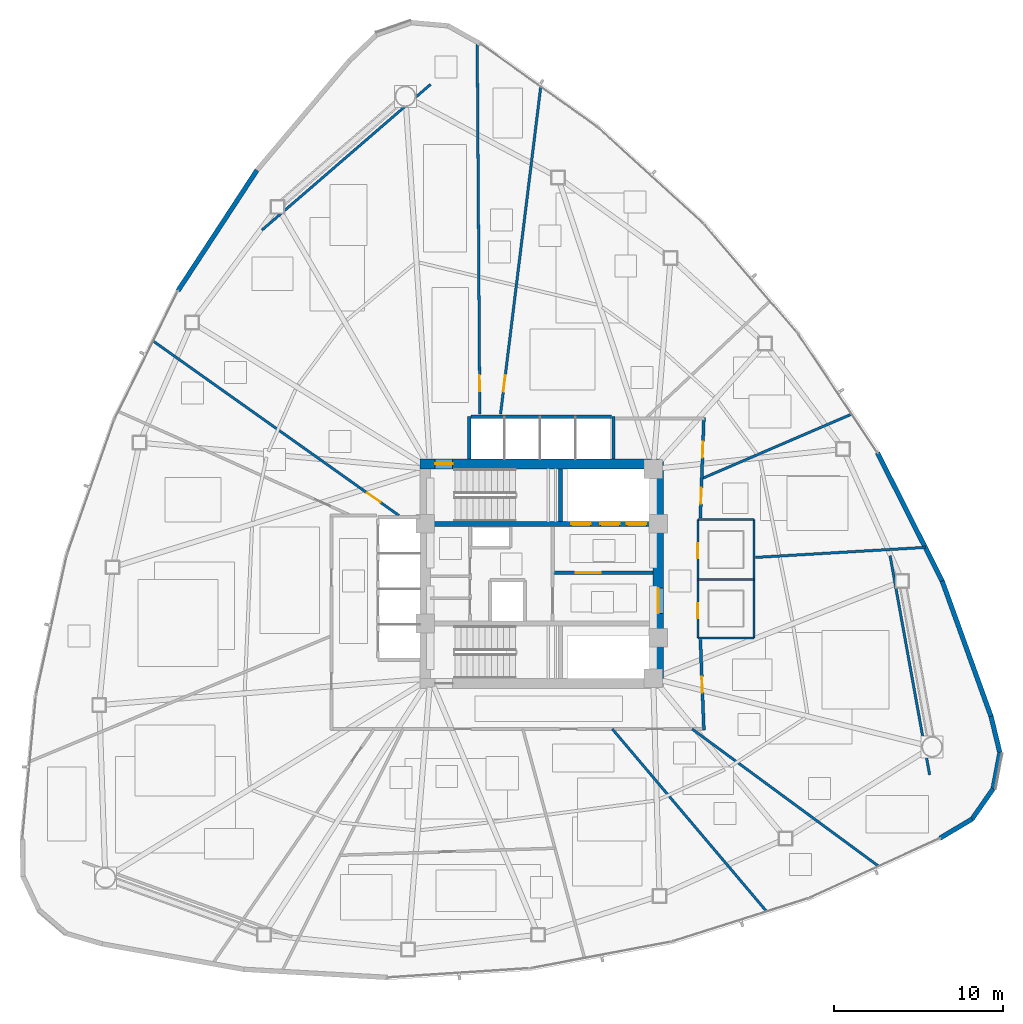
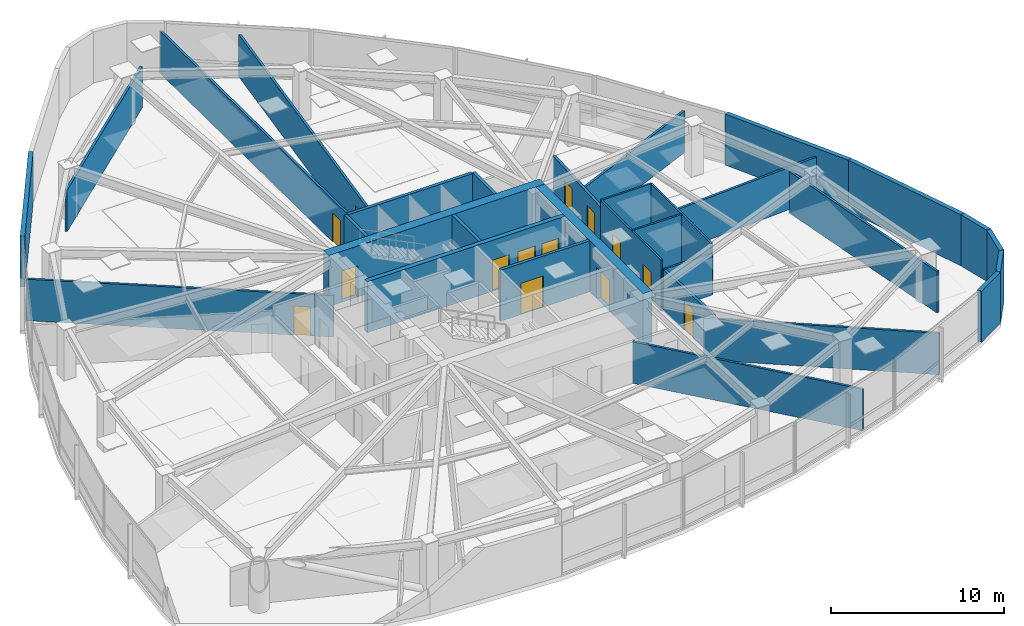
# One storey, part 13 of 18: 31 walls, 14 doors, 14 openings.
"""IFC4 building model written with IfcOpenShell, lengths in metres."""

from ifc_helpers import new_model, si_unit, direction, frame, frame_2d, origin, place, context, subcontext, project, spatial, rectangle, extrude, material, layer, layer_set, type_object, element, fill, save


model = new_model("IFC4")

# Units and contexts
model_context = context("Model", 3, precision=1e-05, world=origin(), true_north=direction((0.0, 1.0)))
body_context = subcontext(model_context, "Body", "Model", "MODEL_VIEW")
ifc_project = project(units=[si_unit("LENGTHUNIT", "METRE"), si_unit("AREAUNIT", "SQUARE_METRE"), si_unit("VOLUMEUNIT", "CUBIC_METRE"), si_unit("PLANEANGLEUNIT", "RADIAN"), si_unit("MASSUNIT", "GRAM", prefix="KILO")], contexts=[model_context])

# Site, building, storey
site_placement = place(None, origin())
site = spatial("IfcSite", under=ifc_project, at=site_placement, CompositionType="ELEMENT")
building_placement = place(site_placement, origin())
building = spatial("IfcBuilding", under=site, at=building_placement, Name="Tavelor Broadcast Tower", CompositionType="ELEMENT")
storey_placement = place(building_placement, frame((0.0, 0.0, 54.89990234375)))
storey = spatial("IfcBuildingStorey", under=building, at=storey_placement, Name="L12", CompositionType="ELEMENT", Elevation=54.89990234375)

# Wall, opening, door
ifc_material_1 = material(Name="Concrete C60/75", Category="concrete")
ifc_layer_1 = layer(ifc_material_1, 0.60009765625)
ifc_layer_set_1 = layer_set([ifc_layer_1], Name="Concrete C60/75")
wall_type_1 = type_object("IfcWallType", Name="Core Shear Wall 600 mm", PredefinedType="SHEAR", material=ifc_layer_set_1)
wall_1_placement = place(storey_placement, frame((42.800048828125, 51.5, 0.0), z_axis=(0.0, 0.0, 1.0), x_axis=(1.0, 0.0, 0.0)))
wall_1 = element("IfcWall", 1, at=wall_1_placement, inside=storey, type_object=wall_type_1, Name="L12 Central Core Shear Wall N", PredefinedType="SHEAR", context=body_context, shape_type="SweptSolid", body=[
    extrude(rectangle(XDim=14.39990234375, YDim=0.60009765625, at=frame_2d((7.199951171875, 0.0))), origin(), (0.0, 0.0, 1.0), 3.60009765625),
])
opening_1_placement = place(wall_1_placement, frame((0.8798828125, 0.0, 0.0)))
opening_1 = element("IfcOpeningElement", 2, at=opening_1_placement, cuts=wall_1, Name="Opening DR11", PredefinedType="OPENING", context=body_context, shape_type="SweptSolid", body=[
    extrude(rectangle(XDim=1.050048828125, YDim=2.199951171875, at=frame_2d((0.52490234375, 1.10009765625))), frame((0.0, 0.31005859375, 0.0), z_axis=(0.0, -1.0, 0.0), x_axis=(1.0, 0.0, 0.0)), (0.0, 0.0, 1.0), 0.6201171875),
])
ifc_material_2 = material(Name="Steel S355", Category="steel")
door_type_1 = type_object("IfcDoorType", Name="Stair Core Fire Escape Door 1050x2200", OperationType="NOTDEFINED", PredefinedType="DOOR", material=ifc_material_2)
door_1_placement = place(opening_1_placement, origin())
door_1 = element("IfcDoor", 3, at=door_1_placement, inside=storey, type_object=door_type_1, Name="L12 Stair ST1 Protected Exit Door", OperationType="SINGLE_SWING_LEFT", OverallHeight=2.199951171875, OverallWidth=1.050048828125, PredefinedType="DOOR", context=body_context, shape_type="SweptSolid", body=[
    extrude(rectangle(XDim=1.050048828125, YDim=2.199951171875, at=frame_2d((0.52490234375, 1.10009765625))), frame((0.0, 0.02490234375, 0.0), z_axis=(0.0, -1.0, 0.0), x_axis=(1.0, 0.0, 0.0)), (0.0, 0.0, 1.0), 0.050048828125),
])
fill(opening_1, door_1)

wall_2_placement = place(storey_placement, frame((56.89990234375, 38.800048828125, 0.0), z_axis=(0.0, 0.0, 1.0), x_axis=(0.0, 1.0, 0.0)))
wall_2 = element("IfcWall", 4, at=wall_2_placement, inside=storey, type_object=wall_type_1, Name="L12 Central Core Shear Wall E", PredefinedType="SHEAR", context=body_context, shape_type="SweptSolid", body=[
    extrude(rectangle(XDim=12.39990234375, YDim=0.60009765625, at=frame_2d((6.199951171875, 0.0))), origin(), (0.0, 0.0, 1.0), 3.60009765625),
])
opening_2_placement = place(wall_2_placement, frame((3.85009765625, 0.0, 0.0)))
opening_2 = element("IfcOpeningElement", 5, at=opening_2_placement, cuts=wall_2, Name="Opening DR14", PredefinedType="OPENING", context=body_context, shape_type="SweptSolid", body=[
    extrude(rectangle(XDim=1.5, YDim=2.199951171875, at=frame_2d((0.75, 1.10009765625))), frame((0.0, 0.31005859375, 0.0), z_axis=(0.0, -1.0, 0.0), x_axis=(1.0, 0.0, 0.0)), (0.0, 0.0, 1.0), 0.6201171875),
])
door_type_2 = type_object("IfcDoorType", Name="Firefighting Lobby Double Fire Door 1500x2200", OperationType="NOTDEFINED", PredefinedType="DOOR", material=ifc_material_2)
door_2_placement = place(opening_2_placement, origin())
door_2 = element("IfcDoor", 6, at=door_2_placement, inside=storey, type_object=door_type_2, Name="L12 Central Core Lobby Fire Door", OperationType="SINGLE_SWING_RIGHT", OverallHeight=2.199951171875, OverallWidth=1.5, PredefinedType="DOOR", context=body_context, shape_type="SweptSolid", body=[
    extrude(rectangle(XDim=1.5, YDim=2.199951171875, at=frame_2d((0.75, 1.10009765625))), frame((0.0, 0.02490234375, 0.0), z_axis=(0.0, -1.0, 0.0), x_axis=(1.0, 0.0, 0.0)), (0.0, 0.0, 1.0), 0.050048828125),
])
fill(opening_2, door_2)

# Wall, openings, doors
ifc_layer_2 = layer(ifc_material_1, 0.300048828125)
ifc_layer_set_2 = layer_set([ifc_layer_2], Name="Concrete C60/75")
wall_type_2 = type_object("IfcWallType", Name="Core Spine Shear Wall 300 mm C60", PredefinedType="SHEAR", material=ifc_layer_set_2)
wall_3_placement = place(storey_placement, frame((43.39990234375, 47.949951171875, 0.0), z_axis=(0.0, 0.0, 1.0), x_axis=(1.0, 0.0, 0.0)))
wall_3 = element("IfcWall", 7, at=wall_3_placement, inside=storey, type_object=wall_type_2, Name="L12 Central Core Shear Wall SP1", PredefinedType="SHEAR", context=body_context, shape_type="SweptSolid", body=[
    extrude(rectangle(XDim=13.2001953125, YDim=0.300048828125, at=frame_2d((6.60009765625, 0.0))), origin(), (0.0, 0.0, 1.0), 3.60009765625),
])
opening_3_placement = place(wall_3_placement, frame((8.344970703125, 0.0, 0.0)))
opening_3 = element("IfcOpeningElement", 8, at=opening_3_placement, cuts=wall_3, Name="Opening LD02", PredefinedType="OPENING", context=body_context, shape_type="SweptSolid", body=[
    extrude(rectangle(XDim=1.14990234375, YDim=2.199951171875, at=frame_2d((0.574951171875, 1.10009765625))), frame((0.0, 0.16015625, 0.0), z_axis=(0.0, -1.0, 0.0), x_axis=(1.0, 0.0, 0.0)), (0.0, 0.0, 1.0), 0.320068359375),
])
opening_4_placement = place(wall_3_placement, frame((10.06494140625, 0.0, 0.0)))
opening_4 = element("IfcOpeningElement", 9, at=opening_4_placement, cuts=wall_3, Name="Opening LD02", PredefinedType="OPENING", context=body_context, shape_type="SweptSolid", body=[
    extrude(rectangle(XDim=1.14990234375, YDim=2.199951171875, at=frame_2d((0.574951171875, 1.10009765625))), frame((0.0, 0.16015625, 0.0), z_axis=(0.0, -1.0, 0.0), x_axis=(1.0, 0.0, 0.0)), (0.0, 0.0, 1.0), 0.320068359375),
])
opening_5_placement = place(wall_3_placement, frame((11.64501953125, 0.0, 0.0)))
opening_5 = element("IfcOpeningElement", 10, at=opening_5_placement, cuts=wall_3, Name="Opening LD03", PredefinedType="OPENING", context=body_context, shape_type="SweptSolid", body=[
    extrude(rectangle(XDim=1.14990234375, YDim=2.199951171875, at=frame_2d((0.574951171875, 1.10009765625))), frame((0.0, 0.16015625, 0.0), z_axis=(0.0, -1.0, 0.0), x_axis=(1.0, 0.0, 0.0)), (0.0, 0.0, 1.0), 0.320068359375),
])
ifc_material_3 = material(Name="Reinforced Brushed Stainless Steel", Category="concrete")
door_type_3 = type_object("IfcDoorType", Name="Broadcast Goods Lift Sliding Landing Door 1250x2200", OperationType="NOTDEFINED", PredefinedType="DOOR", material=ifc_material_3)
door_3_placement = place(opening_5_placement, origin())
door_3 = element("IfcDoor", 11, at=door_3_placement, inside=storey, type_object=door_type_3, Name="L12 Lift SVL1 Sliding Landing Door", OperationType="SLIDING_TO_LEFT", OverallHeight=2.199951171875, OverallWidth=1.14990234375, PredefinedType="DOOR", context=body_context, shape_type="SweptSolid", body=[
    extrude(rectangle(XDim=1.14990234375, YDim=2.199951171875, at=frame_2d((0.574951171875, 1.10009765625))), frame((0.0, 0.02490234375, 0.0), z_axis=(0.0, -1.0, 0.0), x_axis=(1.0, 0.0, 0.0)), (0.0, 0.0, 1.0), 0.050048828125),
])
fill(opening_5, door_3)
ifc_material_4 = material(Name="Fire-Rated Stainless Steel", Category="steel")
door_type_4 = type_object("IfcDoorType", Name="Firefighting Lift Sliding Landing Door 1200x2200", OperationType="NOTDEFINED", PredefinedType="DOOR", material=ifc_material_4)
door_4_placement = place(opening_3_placement, origin())
door_4 = element("IfcDoor", 12, at=door_4_placement, inside=storey, type_object=door_type_4, Name="L12 Lift FFL1 Sliding Landing Door", OperationType="SLIDING_TO_LEFT", OverallHeight=2.199951171875, OverallWidth=1.14990234375, PredefinedType="DOOR", context=body_context, shape_type="SweptSolid", body=[
    extrude(rectangle(XDim=1.14990234375, YDim=2.199951171875, at=frame_2d((0.574951171875, 1.10009765625))), frame((0.0, 0.02490234375, 0.0), z_axis=(0.0, -1.0, 0.0), x_axis=(1.0, 0.0, 0.0)), (0.0, 0.0, 1.0), 0.050048828125),
])
fill(opening_3, door_4)
door_5_placement = place(opening_4_placement, origin())
door_5 = element("IfcDoor", 13, at=door_5_placement, inside=storey, type_object=door_type_4, Name="L12 Lift FFL2 Sliding Landing Door", OperationType="SLIDING_TO_LEFT", OverallHeight=2.199951171875, OverallWidth=1.14990234375, PredefinedType="DOOR", context=body_context, shape_type="SweptSolid", body=[
    extrude(rectangle(XDim=1.14990234375, YDim=2.199951171875, at=frame_2d((0.574951171875, 1.10009765625))), frame((0.0, 0.02490234375, 0.0), z_axis=(0.0, -1.0, 0.0), x_axis=(1.0, 0.0, 0.0)), (0.0, 0.0, 1.0), 0.050048828125),
])
fill(opening_4, door_5)

ifc_material_5 = material(Name="Calcium Silicate Fire Board 180 mm", Category="gypsum")
ifc_layer_3 = layer(ifc_material_5, 0.179931640625)
ifc_layer_set_3 = layer_set([ifc_layer_3], Name="Calcium Silicate Fire Board 180 mm")
wall_type_3 = type_object("IfcWallType", Name="Fire-Rated Corridor Partition Wall 180 mm", PredefinedType="PARTITIONING", material=ifc_layer_set_3)
wall_4_placement = place(storey_placement, frame((59.601806640625, 54.25, 0.0), z_axis=(0.0, 0.0, 1.0), x_axis=(-0.035265891834, -0.999377964973, 0.0)))
wall_4 = element("IfcWall", 14, at=wall_4_placement, inside=storey, type_object=wall_type_3, Name="L12 Corridor Compartment Wall 02", PredefinedType="PARTITIONING", context=body_context, shape_type="SweptSolid", body=[
    extrude(rectangle(XDim=5.95361328125, YDim=0.179931640625, at=frame_2d((2.976806640625, 0.0))), origin(), (0.0, 0.0, 1.0), 2.925048828125),
])
opening_6_placement = place(wall_4_placement, frame((1.42578125, 0.0, 0.0)))
opening_6 = element("IfcOpeningElement", 15, at=opening_6_placement, cuts=wall_4, Name="Opening DR18", PredefinedType="OPENING", context=body_context, shape_type="SweptSolid", body=[
    extrude(rectangle(XDim=0.949951171875, YDim=2.050048828125, at=frame_2d((0.47509765625, 1.02490234375))), frame((0.0, 0.10009765625, 0.0), z_axis=(0.0, -1.0, 0.0), x_axis=(1.0, 0.0, 0.0)), (0.0, 0.0, 1.0), 0.199951171875),
])
opening_7_placement = place(wall_4_placement, frame((4.176025390625, 0.0, 0.0)))
opening_7 = element("IfcOpeningElement", 16, at=opening_7_placement, cuts=wall_4, Name="Opening DR18", PredefinedType="OPENING", context=body_context, shape_type="SweptSolid", body=[
    extrude(rectangle(XDim=0.949951171875, YDim=2.050048828125, at=frame_2d((0.47509765625, 1.02490234375))), frame((0.0, 0.10009765625, 0.0), z_axis=(0.0, -1.0, 0.0), x_axis=(1.0, 0.0, 0.0)), (0.0, 0.0, 1.0), 0.199951171875),
])
ifc_material_6 = material(Name="Timber Solid Core Hardwood", Category="wood")
door_type_5 = type_object("IfcDoorType", Name="Corridor Rated Compartment Door 950x2050", OperationType="NOTDEFINED", PredefinedType="DOOR", material=ifc_material_6)
door_6_placement = place(opening_6_placement, origin())
door_6 = element("IfcDoor", 17, at=door_6_placement, inside=storey, type_object=door_type_5, Name="L12 Talent Concierge Desk Door R8", OperationType="SINGLE_SWING_RIGHT", OverallHeight=2.050048828125, OverallWidth=0.949951171875, PredefinedType="DOOR", context=body_context, shape_type="SweptSolid", body=[
    extrude(rectangle(XDim=0.949951171875, YDim=2.050048828125, at=frame_2d((0.47509765625, 1.02490234375))), frame((0.0, 0.02490234375, 0.0), z_axis=(0.0, -1.0, 0.0), x_axis=(1.0, 0.0, 0.0)), (0.0, 0.0, 1.0), 0.050048828125),
])
fill(opening_6, door_6)
door_7_placement = place(opening_7_placement, origin())
door_7 = element("IfcDoor", 18, at=door_7_placement, inside=storey, type_object=door_type_5, Name="L12 Master Control Room Door R9", OperationType="SINGLE_SWING_LEFT", OverallHeight=2.050048828125, OverallWidth=0.949951171875, PredefinedType="DOOR", context=body_context, shape_type="SweptSolid", body=[
    extrude(rectangle(XDim=0.949951171875, YDim=2.050048828125, at=frame_2d((0.47509765625, 1.02490234375))), frame((0.0, 0.02490234375, 0.0), z_axis=(0.0, -1.0, 0.0), x_axis=(1.0, 0.0, 0.0)), (0.0, 0.0, 1.0), 0.050048828125),
])
fill(opening_7, door_7)

# Wall, opening, door
wall_5_placement = place(storey_placement, frame((59.39208984375, 41.10009765625, 0.0), z_axis=(0.0, 0.0, 1.0), x_axis=(0.03921413315, -0.999230830069, 0.0)))
wall_5 = element("IfcWall", 19, at=wall_5_placement, inside=storey, type_object=wall_type_3, Name="L12 Corridor Compartment Wall 03", PredefinedType="PARTITIONING", context=body_context, shape_type="SweptSolid", body=[
    extrude(rectangle(XDim=5.354248046875, YDim=0.179931640625, at=frame_2d((2.67724609375, 0.0))), origin(), (0.0, 0.0, 1.0), 2.925048828125),
])
opening_8_placement = place(wall_5_placement, frame((2.201904296875, 0.0, 0.0)))
opening_8 = element("IfcOpeningElement", 20, at=opening_8_placement, cuts=wall_5, Name="Opening DR18", PredefinedType="OPENING", context=body_context, shape_type="SweptSolid", body=[
    extrude(rectangle(XDim=0.949951171875, YDim=2.050048828125, at=frame_2d((0.47509765625, 1.02490234375))), frame((0.0, 0.10009765625, 0.0), z_axis=(0.0, -1.0, 0.0), x_axis=(1.0, 0.0, 0.0)), (0.0, 0.0, 1.0), 0.199951171875),
])
door_8_placement = place(opening_8_placement, origin())
door_8 = element("IfcDoor", 21, at=door_8_placement, inside=storey, type_object=door_type_5, Name="L12 Investigative News Desk Door R10", OperationType="SINGLE_SWING_RIGHT", OverallHeight=2.050048828125, OverallWidth=0.949951171875, PredefinedType="DOOR", context=body_context, shape_type="SweptSolid", body=[
    extrude(rectangle(XDim=0.949951171875, YDim=2.050048828125, at=frame_2d((0.47509765625, 1.02490234375))), frame((0.0, 0.02490234375, 0.0), z_axis=(0.0, -1.0, 0.0), x_axis=(1.0, 0.0, 0.0)), (0.0, 0.0, 1.0), 0.050048828125),
])
fill(opening_8, door_8)

# Walls
ifc_material_7 = material(Name="Precast Concrete C40/50", Category="concrete")
ifc_layer_4 = layer(ifc_material_7, 0.280029296875)
ifc_layer_set_4 = layer_set([ifc_layer_4], Name="Precast Concrete C40/50")
wall_type_4 = type_object("IfcWallType", Name="Insulated Precast Terracotta Facade Wall 280 mm", PredefinedType="STANDARD", material=ifc_layer_set_4)
wall_6_placement = place(storey_placement, frame((33.13671875, 68.898193359375, 0.0), z_axis=(0.0, 0.0, 1.0), x_axis=(-0.54793584968, -0.836520355183, 0.0)))
element("IfcWall", 22, at=wall_6_placement, inside=storey, type_object=wall_type_4, Name="L12 Rounded Corner Structural Cladding Pier 06", PredefinedType="STANDARD", context=body_context, shape_type="SweptSolid", body=[
    extrude(rectangle(XDim=8.53515625, YDim=0.280029296875, at=frame_2d((4.267578125, 0.0))), origin(), (0.0, 0.0, 1.0), 3.60009765625),
])
wall_7_placement = place(storey_placement, frame((73.579345703125, 29.33447265625, 0.0), z_axis=(0.0, 0.0, 1.0), x_axis=(0.859405481685, 0.511294648955, 0.0)))
element("IfcWall", 23, at=wall_7_placement, inside=storey, type_object=wall_type_4, Name="L12 Rounded Corner Structural Cladding Pier 21", PredefinedType="STANDARD", context=body_context, shape_type="SweptSolid", body=[
    extrude(rectangle(XDim=2.22314453125, YDim=0.280029296875, at=frame_2d((1.111572265625, 0.0))), origin(), (0.0, 0.0, 1.0), 3.60009765625),
])
wall_8_placement = place(storey_placement, frame((75.468505859375, 30.451171875, 0.0), z_axis=(0.0, 0.0, 1.0), x_axis=(0.572854744828, 0.819656904642, 0.0)))
element("IfcWall", 24, at=wall_8_placement, inside=storey, type_object=wall_type_4, Name="L12 Rounded Corner Structural Cladding Pier 22", PredefinedType="STANDARD", context=body_context, shape_type="SweptSolid", body=[
    extrude(rectangle(XDim=2.2119140625, YDim=0.280029296875, at=frame_2d((1.10595703125, 0.0))), origin(), (0.0, 0.0, 1.0), 3.60009765625),
])
wall_9_placement = place(storey_placement, frame((76.72412109375, 32.237060546875, 0.0), z_axis=(0.0, 0.0, 1.0), x_axis=(0.184788378339, 0.982778334738, 0.0)))
element("IfcWall", 25, at=wall_9_placement, inside=storey, type_object=wall_type_4, Name="L12 Rounded Corner Structural Cladding Pier 23", PredefinedType="STANDARD", context=body_context, shape_type="SweptSolid", body=[
    extrude(rectangle(XDim=2.211669921875, YDim=0.280029296875, at=frame_2d((1.10595703125, 0.0))), origin(), (0.0, 0.0, 1.0), 3.60009765625),
])
wall_10_placement = place(storey_placement, frame((77.133544921875, 34.38134765625, 0.0), z_axis=(0.0, 0.0, 1.0), x_axis=(-0.23592214769, 0.971771958964, 0.0)))
element("IfcWall", 26, at=wall_10_placement, inside=storey, type_object=wall_type_4, Name="L12 Rounded Corner Structural Cladding Pier 24", PredefinedType="STANDARD", context=body_context, shape_type="SweptSolid", body=[
    extrude(rectangle(XDim=2.234130859375, YDim=0.280029296875, at=frame_2d((1.1171875, 0.0))), origin(), (0.0, 0.0, 1.0), 3.60009765625),
])
wall_11_placement = place(storey_placement, frame((76.614990234375, 36.523681640625, 0.0), z_axis=(0.0, 0.0, 1.0), x_axis=(-0.339134131708, 0.940738029799, 0.0)))
element("IfcWall", 27, at=wall_11_placement, inside=storey, type_object=wall_type_4, Name="L12 Rounded Corner Structural Cladding Pier 25", PredefinedType="STANDARD", context=body_context, shape_type="SweptSolid", body=[
    extrude(rectangle(XDim=8.54736328125, YDim=0.280029296875, at=frame_2d((4.273681640625, 0.0))), origin(), (0.0, 0.0, 1.0), 3.60009765625),
])
wall_12_placement = place(storey_placement, frame((73.728271484375, 44.537109375, 0.0), z_axis=(0.0, 0.0, 1.0), x_axis=(-0.450471385419, 0.892790866283, 0.0)))
element("IfcWall", 28, at=wall_12_placement, inside=storey, type_object=wall_type_4, Name="L12 Rounded Corner Structural Cladding Pier 26", PredefinedType="STANDARD", context=body_context, shape_type="SweptSolid", body=[
    extrude(rectangle(XDim=8.535400390625, YDim=0.280029296875, at=frame_2d((4.267578125, 0.0))), origin(), (0.0, 0.0, 1.0), 3.60009765625),
])
ifc_material_8 = material(Name="Gypsum Acoustic Plasterboard 150 mm", Category="gypsum")
ifc_layer_5 = layer(ifc_material_8, 0.14990234375)
ifc_layer_set_5 = layer_set([ifc_layer_5], Name="Gypsum Acoustic Plasterboard 150 mm")
wall_type_5 = type_object("IfcWallType", Name="Interior Acoustic Partition Wall 150 mm", PredefinedType="PARTITIONING", material=ifc_layer_set_5)
wall_13_placement = place(storey_placement, frame((43.42138671875, 73.9794921875, 0.0), z_axis=(0.0, 0.0, 1.0), x_axis=(-0.756659135409, -0.653809569218, 0.0)))
element("IfcWall", 29, at=wall_13_placement, inside=storey, type_object=wall_type_5, Name="L12 Corner Tube Brace Furring Wall 1", PredefinedType="PARTITIONING", context=body_context, shape_type="SweptSolid", body=[
    extrude(rectangle(XDim=13.200439453125, YDim=0.14990234375, at=frame_2d((6.60009765625, 0.0))), origin(), (0.0, 0.0, 1.0), 2.925048828125),
])
wall_14_placement = place(storey_placement, frame((72.96923828125, 33.09130859375, 0.0), z_axis=(0.0, 0.0, 1.0), x_axis=(-0.177742578179, 0.984077017261, 0.0)))
element("IfcWall", 30, at=wall_14_placement, inside=storey, type_object=wall_type_5, Name="L12 Corner Tube Brace Furring Wall 3", PredefinedType="PARTITIONING", context=body_context, shape_type="SweptSolid", body=[
    extrude(rectangle(XDim=13.179443359375, YDim=0.14990234375, at=frame_2d((6.58984375, 0.0))), origin(), (0.0, 0.0, 1.0), 2.925048828125),
])

# Wall, opening, door
wall_15_placement = place(storey_placement, frame((47.560302734375, 54.449951171875, 0.0), z_axis=(0.0, 0.0, 1.0), x_axis=(0.121866471356, 0.99254650428, 0.0)))
wall_15 = element("IfcWall", 31, at=wall_15_placement, inside=storey, type_object=wall_type_5, Name="L12 Radial Compartment Wall 01", PredefinedType="PARTITIONING", context=body_context, shape_type="SweptSolid", body=[
    extrude(rectangle(XDim=19.542724609375, YDim=0.14990234375, at=frame_2d((9.771484375, 0.0))), origin(), (0.0, 0.0, 1.0), 2.97509765625),
])
opening_9_placement = place(wall_15_placement, frame((1.35009765625, 0.0, 0.0)))
opening_9 = element("IfcOpeningElement", 32, at=opening_9_placement, cuts=wall_15, Name="Opening DR18", PredefinedType="OPENING", context=body_context, shape_type="SweptSolid", body=[
    extrude(rectangle(XDim=0.949951171875, YDim=2.050048828125, at=frame_2d((0.47509765625, 1.02490234375))), frame((0.0, 0.0849609375, 0.0), z_axis=(0.0, -1.0, 0.0), x_axis=(1.0, 0.0, 0.0)), (0.0, 0.0, 1.0), 0.169921875),
])
door_9_placement = place(opening_9_placement, origin())
door_9 = element("IfcDoor", 33, at=door_9_placement, inside=storey, type_object=door_type_5, Name="L12 Suite Connecting Door 7", OperationType="SINGLE_SWING_RIGHT", OverallHeight=2.050048828125, OverallWidth=0.949951171875, PredefinedType="DOOR", context=body_context, shape_type="SweptSolid", body=[
    extrude(rectangle(XDim=0.949951171875, YDim=2.050048828125, at=frame_2d((0.47509765625, 1.02490234375))), frame((0.0, 0.02490234375, 0.0), z_axis=(0.0, -1.0, 0.0), x_axis=(1.0, 0.0, 0.0)), (0.0, 0.0, 1.0), 0.050048828125),
])
fill(opening_9, door_9)

wall_16_placement = place(storey_placement, frame((46.3330078125, 54.449951171875, 0.0), z_axis=(0.0, 0.0, 1.0), x_axis=(-0.007065709124, 0.999975037566, 0.0)))
wall_16 = element("IfcWall", 34, at=wall_16_placement, inside=storey, type_object=wall_type_5, Name="L12 Radial Compartment Wall 02", PredefinedType="PARTITIONING", context=body_context, shape_type="SweptSolid", body=[
    extrude(rectangle(XDim=22.044677734375, YDim=0.14990234375, at=frame_2d((11.0224609375, 0.0))), origin(), (0.0, 0.0, 1.0), 2.97509765625),
])
opening_10_placement = place(wall_16_placement, frame((1.35009765625, 0.0, 0.0)))
opening_10 = element("IfcOpeningElement", 35, at=opening_10_placement, cuts=wall_16, Name="Opening DR18", PredefinedType="OPENING", context=body_context, shape_type="SweptSolid", body=[
    extrude(rectangle(XDim=0.949951171875, YDim=2.050048828125, at=frame_2d((0.47509765625, 1.02490234375))), frame((0.0, 0.0849609375, 0.0), z_axis=(0.0, -1.0, 0.0), x_axis=(1.0, 0.0, 0.0)), (0.0, 0.0, 1.0), 0.169921875),
])
door_10_placement = place(opening_10_placement, origin())
door_10 = element("IfcDoor", 36, at=door_10_placement, inside=storey, type_object=door_type_5, Name="L12 Suite Connecting Door 6", OperationType="SINGLE_SWING_LEFT", OverallHeight=2.050048828125, OverallWidth=0.949951171875, PredefinedType="DOOR", context=body_context, shape_type="SweptSolid", body=[
    extrude(rectangle(XDim=0.949951171875, YDim=2.050048828125, at=frame_2d((0.47509765625, 1.02490234375))), frame((0.0, 0.02490234375, 0.0), z_axis=(0.0, -1.0, 0.0), x_axis=(1.0, 0.0, 0.0)), (0.0, 0.0, 1.0), 0.050048828125),
])
fill(opening_10, door_10)

wall_17_placement = place(storey_placement, frame((41.53857421875, 48.449951171875, 0.0), z_axis=(0.0, 0.0, 1.0), x_axis=(-0.815514848406, 0.578736150616, 0.0)))
wall_17 = element("IfcWall", 37, at=wall_17_placement, inside=storey, type_object=wall_type_5, Name="L12 Radial Compartment Wall 03", PredefinedType="PARTITIONING", context=body_context, shape_type="SweptSolid", body=[
    extrude(rectangle(XDim=17.852294921875, YDim=0.14990234375, at=frame_2d((8.92626953125, 0.0))), origin(), (0.0, 0.0, 1.0), 2.925048828125),
])
opening_11_placement = place(wall_17_placement, frame((1.35009765625, 0.0, 0.0)))
opening_11 = element("IfcOpeningElement", 38, at=opening_11_placement, cuts=wall_17, Name="Opening DR18", PredefinedType="OPENING", context=body_context, shape_type="SweptSolid", body=[
    extrude(rectangle(XDim=0.949951171875, YDim=2.050048828125, at=frame_2d((0.47509765625, 1.02490234375))), frame((0.0, 0.0849609375, 0.0), z_axis=(0.0, -1.0, 0.0), x_axis=(1.0, 0.0, 0.0)), (0.0, 0.0, 1.0), 0.169921875),
])
door_11_placement = place(opening_11_placement, origin())
door_11 = element("IfcDoor", 39, at=door_11_placement, inside=storey, type_object=door_type_5, Name="L12 Suite Connecting Door 5", OperationType="SINGLE_SWING_RIGHT", OverallHeight=2.050048828125, OverallWidth=0.949951171875, PredefinedType="DOOR", context=body_context, shape_type="SweptSolid", body=[
    extrude(rectangle(XDim=0.949951171875, YDim=2.050048828125, at=frame_2d((0.47509765625, 1.02490234375))), frame((0.0, 0.02490234375, 0.0), z_axis=(0.0, -1.0, 0.0), x_axis=(1.0, 0.0, 0.0)), (0.0, 0.0, 1.0), 0.050048828125),
])
fill(opening_11, door_11)

# Walls
wall_18_placement = place(storey_placement, frame((54.18017578125, 35.800048828125, 0.0), z_axis=(0.0, 0.0, 1.0), x_axis=(0.645718892339, -0.763575217039, 0.0)))
element("IfcWall", 40, at=wall_18_placement, inside=storey, type_object=wall_type_5, Name="L12 Radial Compartment Wall 09", PredefinedType="PARTITIONING", context=body_context, shape_type="SweptSolid", body=[
    extrude(rectangle(XDim=14.162841796875, YDim=0.14990234375, at=frame_2d((7.08154296875, 0.0))), origin(), (0.0, 0.0, 1.0), 2.925048828125),
])
wall_19_placement = place(storey_placement, frame((58.906005859375, 35.800048828125, 0.0), z_axis=(0.0, 0.0, 1.0), x_axis=(0.80551038612, -0.592581655008, 0.0)))
element("IfcWall", 41, at=wall_19_placement, inside=storey, type_object=wall_type_5, Name="L12 Radial Compartment Wall 10", PredefinedType="PARTITIONING", context=body_context, shape_type="SweptSolid", body=[
    extrude(rectangle(XDim=13.722412109375, YDim=0.14990234375, at=frame_2d((6.861328125, 0.0))), origin(), (0.0, 0.0, 1.0), 2.925048828125),
])
wall_20_placement = place(storey_placement, frame((62.64990234375, 45.9609375, 0.0), z_axis=(0.0, 0.0, 1.0), x_axis=(0.998256468531, 0.059025613391, 0.0)))
element("IfcWall", 42, at=wall_20_placement, inside=storey, type_object=wall_type_5, Name="L12 Radial Compartment Wall 11", PredefinedType="PARTITIONING", context=body_context, shape_type="SweptSolid", body=[
    extrude(rectangle(XDim=10.088134765625, YDim=0.14990234375, at=frame_2d((5.0439453125, 0.0))), origin(), (0.0, 0.0, 1.0), 2.97509765625),
])
wall_21_placement = place(storey_placement, frame((59.473876953125, 50.626953125, 0.0), z_axis=(0.0, 0.0, 1.0), x_axis=(0.918535829974, 0.395337740488, 0.0)))
element("IfcWall", 43, at=wall_21_placement, inside=storey, type_object=wall_type_5, Name="L12 Radial Compartment Wall 12", PredefinedType="PARTITIONING", context=body_context, shape_type="SweptSolid", body=[
    extrude(rectangle(XDim=9.677001953125, YDim=0.14990234375, at=frame_2d((4.83837890625, 0.0))), origin(), (0.0, 0.0, 1.0), 2.925048828125),
])
ifc_material_9 = material(Name="Concrete Blockwork 200 mm", Category="masonry")
ifc_layer_6 = layer(ifc_material_9, 0.199951171875)
ifc_layer_set_6 = layer_set([ifc_layer_6], Name="Concrete Blockwork 200 mm")
wall_type_6 = type_object("IfcWallType", Name="Lift Hoistway Rated Front Wall 200 mm", PredefinedType="PARTITIONING", material=ifc_layer_set_6)
wall_22_placement = place(storey_placement, frame((45.820068359375, 54.300048828125, 0.0), z_axis=(0.0, 0.0, 1.0), x_axis=(1.0, 0.0, 0.0)))
element("IfcWall", 44, at=wall_22_placement, inside=storey, type_object=wall_type_6, Name="L12 High-Rise Lift Hoistway Front Wall", PredefinedType="PARTITIONING", context=body_context, shape_type="SweptSolid", body=[
    extrude(rectangle(XDim=8.309814453125, YDim=0.199951171875, at=frame_2d((4.15478515625, 0.0))), origin(), (0.0, 0.0, 1.0), 3.60009765625),
])
ifc_layer_7 = layer(ifc_material_9, 0.199951171875)
ifc_layer_set_7 = layer_set([ifc_layer_7], Name="Concrete Blockwork 200 mm")
wall_type_7 = type_object("IfcWallType", Name="Lift and Riser Shaft Enclosure Wall 200 mm", PredefinedType="PARTITIONING", material=ifc_layer_set_7)
for number, where, z_axis, x_axis, name in (
    (45, (45.699951171875, 51.800048828125, 0.0), (0.0, 0.0, 1.0), (0.0, 1.0, 0.0), "L12 High-Rise Lift Shaft West Wall"),
    (46, (54.25, 51.800048828125, 0.0), (0.0, 0.0, 1.0), (0.0, 1.0, 0.0), "L12 High-Rise Lift Shaft East Wall"),
):
    element("IfcWall", number, at=place(storey_placement, frame(where, z_axis=z_axis, x_axis=x_axis)), inside=storey, type_object=wall_type_7, Name=name, PredefinedType="PARTITIONING", context=body_context, shape_type="SweptSolid", body=[
        extrude(rectangle(XDim=2.5, YDim=0.199951171875, at=frame_2d((1.25, 0.0))), origin(), (0.0, 0.0, 1.0), 3.60009765625),
    ])

# Wall, opening, door
wall_23_placement = place(storey_placement, frame((50.64990234375, 45.050048828125, 0.0), z_axis=(0.0, 0.0, 1.0), x_axis=(1.0, 0.0, 0.0)))
wall_23 = element("IfcWall", 47, at=wall_23_placement, inside=storey, type_object=wall_type_7, Name="L12 Firefighting Lobby South Wall", PredefinedType="PARTITIONING", context=body_context, shape_type="SweptSolid", body=[
    extrude(rectangle(XDim=5.9501953125, YDim=0.199951171875, at=frame_2d((2.97509765625, 0.0))), origin(), (0.0, 0.0, 1.0), 3.60009765625),
])
opening_12_placement = place(wall_23_placement, frame((1.35009765625, 0.0, 0.0)))
opening_12 = element("IfcOpeningElement", 48, at=opening_12_placement, cuts=wall_23, Name="Opening DR14", PredefinedType="OPENING", context=body_context, shape_type="SweptSolid", body=[
    extrude(rectangle(XDim=1.5, YDim=2.199951171875, at=frame_2d((0.75, 1.10009765625))), frame((0.0, 0.10986328125, 0.0), z_axis=(0.0, -1.0, 0.0), x_axis=(1.0, 0.0, 0.0)), (0.0, 0.0, 1.0), 0.219970703125),
])
door_12_placement = place(opening_12_placement, origin())
door_12 = element("IfcDoor", 49, at=door_12_placement, inside=storey, type_object=door_type_2, Name="L12 Firefighting Lobby Compartment Door", OperationType="SINGLE_SWING_LEFT", OverallHeight=2.199951171875, OverallWidth=1.5, PredefinedType="DOOR", context=body_context, shape_type="SweptSolid", body=[
    extrude(rectangle(XDim=1.5, YDim=2.199951171875, at=frame_2d((0.75, 1.10009765625))), frame((0.0, 0.02490234375, 0.0), z_axis=(0.0, -1.0, 0.0), x_axis=(1.0, 0.0, 0.0)), (0.0, 0.0, 1.0), 0.050048828125),
])
fill(opening_12, door_12)

# Wall, openings, doors
ifc_material_10 = material(Name="Moisture-Resistant Plasterboard 120 mm", Category="gypsum")
ifc_layer_8 = layer(ifc_material_10, 0.1201171875)
ifc_layer_set_8 = layer_set([ifc_layer_8], Name="Moisture-Resistant Plasterboard 120 mm")
wall_type_8 = type_object("IfcWallType", Name="Moisture-Resistant Wet-Room Partition 120 mm", PredefinedType="PARTITIONING", material=ifc_layer_set_8)
wall_24_placement = place(storey_placement, frame((59.239990234375, 41.199951171875, 0.0), z_axis=(0.0, 0.0, 1.0), x_axis=(0.0, 1.0, 0.0)))
wall_24 = element("IfcWall", 50, at=wall_24_placement, inside=storey, type_object=wall_type_8, Name="L12 Floor Washrooms West Wall", PredefinedType="PARTITIONING", context=body_context, shape_type="SweptSolid", body=[
    extrude(rectangle(XDim=7.0, YDim=0.1201171875, at=frame_2d((3.5, 0.0))), origin(), (0.0, 0.0, 1.0), 3.60009765625),
])
opening_13_placement = place(wall_24_placement, frame((1.14990234375, 0.0, 0.0)))
opening_13 = element("IfcOpeningElement", 51, at=opening_13_placement, cuts=wall_24, Name="Opening DR32", PredefinedType="OPENING", context=body_context, shape_type="SweptSolid", body=[
    extrude(rectangle(XDim=0.89990234375, YDim=2.050048828125, at=frame_2d((0.449951171875, 1.02490234375))), frame((0.0, 0.070068359375, 0.0), z_axis=(0.0, -1.0, 0.0), x_axis=(1.0, 0.0, 0.0)), (0.0, 0.0, 1.0), 0.14013671875),
])
opening_14_placement = place(wall_24_placement, frame((4.699951171875, 0.0, 0.0)))
opening_14 = element("IfcOpeningElement", 52, at=opening_14_placement, cuts=wall_24, Name="Opening DR32", PredefinedType="OPENING", context=body_context, shape_type="SweptSolid", body=[
    extrude(rectangle(XDim=0.89990234375, YDim=2.050048828125, at=frame_2d((0.449951171875, 1.02490234375))), frame((0.0, 0.070068359375, 0.0), z_axis=(0.0, -1.0, 0.0), x_axis=(1.0, 0.0, 0.0)), (0.0, 0.0, 1.0), 0.14013671875),
])
door_type_6 = type_object("IfcDoorType", Name="Accessible Washroom Door 900x2050", OperationType="NOTDEFINED", PredefinedType="DOOR", material=ifc_material_6)
door_13_placement = place(opening_13_placement, origin())
door_13 = element("IfcDoor", 53, at=door_13_placement, inside=storey, type_object=door_type_6, Name="L12 Accessible WC Door", OperationType="SINGLE_SWING_LEFT", OverallHeight=2.050048828125, OverallWidth=0.89990234375, PredefinedType="DOOR", context=body_context, shape_type="SweptSolid", body=[
    extrude(rectangle(XDim=0.89990234375, YDim=2.050048828125, at=frame_2d((0.449951171875, 1.02490234375))), frame((0.0, 0.02490234375, 0.0), z_axis=(0.0, -1.0, 0.0), x_axis=(1.0, 0.0, 0.0)), (0.0, 0.0, 1.0), 0.050048828125),
])
fill(opening_13, door_13)
door_14_placement = place(opening_14_placement, origin())
door_14 = element("IfcDoor", 54, at=door_14_placement, inside=storey, type_object=door_type_6, Name="L12 Staff Washroom WC Door", OperationType="SINGLE_SWING_RIGHT", OverallHeight=2.050048828125, OverallWidth=0.89990234375, PredefinedType="DOOR", context=body_context, shape_type="SweptSolid", body=[
    extrude(rectangle(XDim=0.89990234375, YDim=2.050048828125, at=frame_2d((0.449951171875, 1.02490234375))), frame((0.0, 0.02490234375, 0.0), z_axis=(0.0, -1.0, 0.0), x_axis=(1.0, 0.0, 0.0)), (0.0, 0.0, 1.0), 0.050048828125),
])
fill(opening_14, door_14)

# Walls
wall_25_placement = place(storey_placement, frame((59.239990234375, 41.199951171875, 0.0), z_axis=(0.0, 0.0, 1.0), x_axis=(1.0, 0.0, 0.0)))
element("IfcWall", 55, at=wall_25_placement, inside=storey, type_object=wall_type_8, Name="L12 Floor Washrooms South Wall", PredefinedType="PARTITIONING", context=body_context, shape_type="SweptSolid", body=[
    extrude(rectangle(XDim=3.340087890625, YDim=0.1201171875, at=frame_2d((1.669921875, 0.0))), origin(), (0.0, 0.0, 1.0), 2.925048828125),
])
for number, where, z_axis, x_axis, name in (
    (56, (59.239990234375, 44.64990234375, 0.0), (0.0, 0.0, 1.0), (1.0, 0.0, 0.0), "L12 Floor Washrooms Divider Wall"),
    (57, (59.239990234375, 48.199951171875, 0.0), (0.0, 0.0, 1.0), (1.0, 0.0, 0.0), "L12 Floor Washrooms North Wall"),
):
    element("IfcWall", number, at=place(storey_placement, frame(where, z_axis=z_axis, x_axis=x_axis)), inside=storey, type_object=wall_type_8, Name=name, PredefinedType="PARTITIONING", context=body_context, shape_type="SweptSolid", body=[
        extrude(rectangle(XDim=3.340087890625, YDim=0.1201171875, at=frame_2d((1.669921875, 0.0))), origin(), (0.0, 0.0, 1.0), 3.60009765625),
    ])
wall_26_placement = place(storey_placement, frame((62.580078125, 41.199951171875, 0.0), z_axis=(0.0, 0.0, 1.0), x_axis=(0.0, 1.0, 0.0)))
element("IfcWall", 58, at=wall_26_placement, inside=storey, type_object=wall_type_8, Name="L12 Floor Washrooms East Wall", PredefinedType="PARTITIONING", context=body_context, shape_type="SweptSolid", body=[
    extrude(rectangle(XDim=7.0, YDim=0.1201171875, at=frame_2d((3.5, 0.0))), origin(), (0.0, 0.0, 1.0), 3.60009765625),
])
ifc_material_11 = material(Name="Concrete C40/50", Category="concrete")
ifc_layer_9 = layer(ifc_material_11, 0.219970703125)
ifc_layer_set_9 = layer_set([ifc_layer_9], Name="Concrete C40/50")
wall_type_9 = type_object("IfcWallType", Name="Structural Stairwell Shear Wall 220 mm", PredefinedType="SHEAR", material=ifc_layer_set_9)
wall_27_placement = place(storey_placement, frame((51.110107421875, 48.10009765625, 0.0), z_axis=(0.0, 0.0, 1.0), x_axis=(0.0, 1.0, 0.0)))
element("IfcWall", 59, at=wall_27_placement, inside=storey, type_object=wall_type_9, Name="L12 Stair ST1 Structural Shaft Wall", PredefinedType="SHEAR", context=body_context, shape_type="SweptSolid", body=[
    extrude(rectangle(XDim=3.099853515625, YDim=0.219970703125, at=frame_2d((1.5498046875, 0.0))), origin(), (0.0, 0.0, 1.0), 3.60009765625),
])

save(model, "model.ifc")
